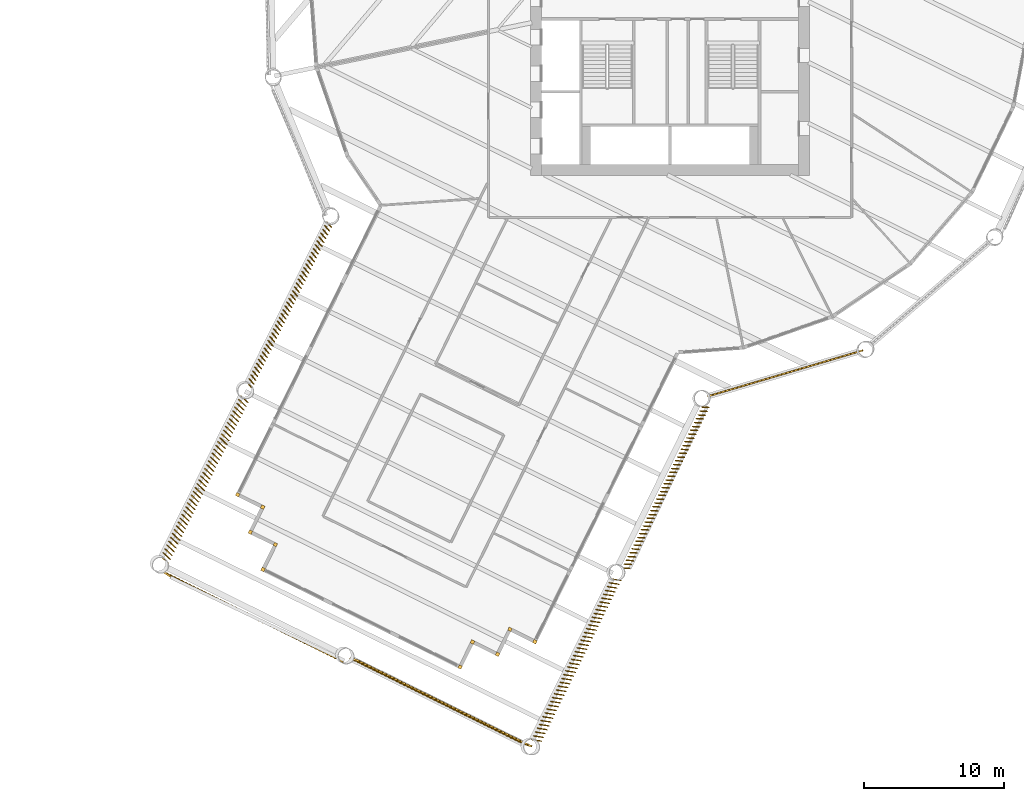
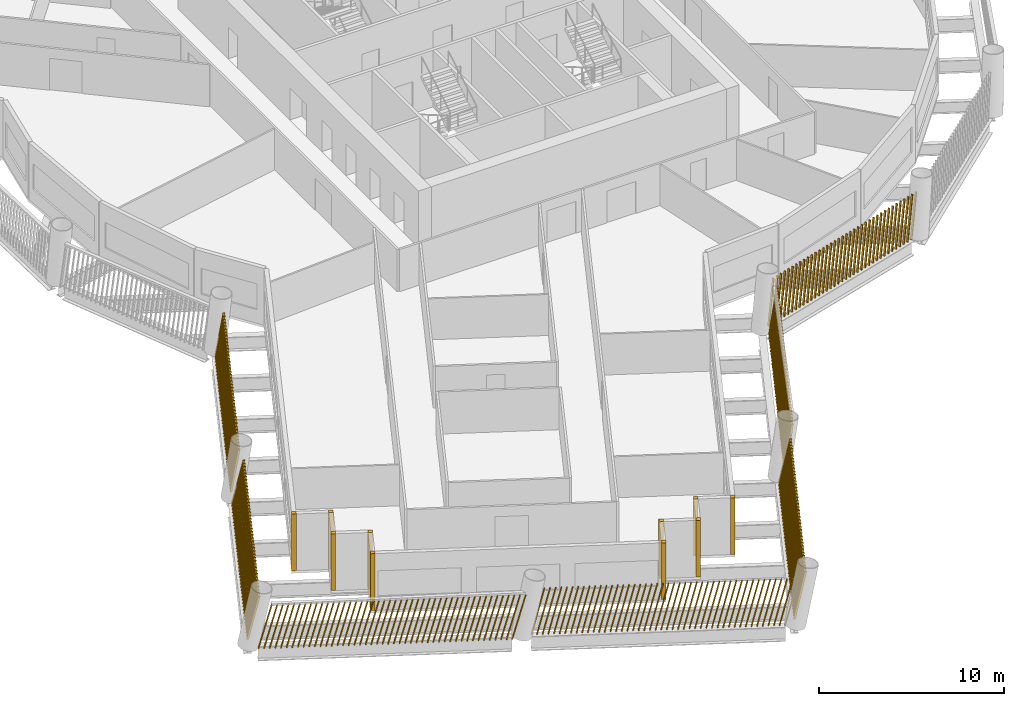
# One storey, part 11 of 16: 17 shading devices.
"""IFC4 building model written with IfcOpenShell, lengths in metres."""

from ifc_helpers import new_model, si_unit, direction, frame, frame_2d, origin, origin_2d, place, context, subcontext, project, spatial, rectangle, composite_profile, extrude, material, type_object, element, save


model = new_model("IFC4")

# Units and contexts
model_context = context("Model", 3, precision=1e-05, world=origin(), true_north=direction((0.0, 1.0)))
body_context = subcontext(model_context, "Body", "Model", "MODEL_VIEW")
ifc_project = project(units=[si_unit("LENGTHUNIT", "METRE"), si_unit("AREAUNIT", "SQUARE_METRE"), si_unit("VOLUMEUNIT", "CUBIC_METRE"), si_unit("PLANEANGLEUNIT", "RADIAN"), si_unit("MASSUNIT", "GRAM", prefix="KILO")], contexts=[model_context])

# Site, building, storey
site_placement = place(None, origin())
site = spatial("IfcSite", under=ifc_project, at=site_placement, CompositionType="ELEMENT")
building_placement = place(site_placement, origin())
building = spatial("IfcBuilding", under=site, at=building_placement, Name="Tarsis Ring Headquarters", CompositionType="ELEMENT")
storey_placement = place(building_placement, frame((0.0, 0.0, 104.5)))
storey = spatial("IfcBuildingStorey", under=building, at=storey_placement, Name="L23", CompositionType="ELEMENT", Elevation=104.5)

# Shading devices
ifc_material = material(Name="Terracotta baguette", Category="masonry")
shading_device_type_1 = type_object("IfcShadingDeviceType", Name="Terracotta baguette screen", PredefinedType="USERDEFINED", material=ifc_material)
shading_device_1_placement = place(storey_placement, frame((-24.564453125, -16.298828125, 0.0), z_axis=(0.0, 0.0, 1.0), x_axis=(-0.443063124432, -0.896495610051, 0.0)))
element("IfcShadingDevice", 1, at=shading_device_1_placement, inside=storey, type_object=shading_device_type_1, Name="Baguette screen L23-01", ObjectType="Terracotta baguette screen", PredefinedType="USERDEFINED", context=body_context, shape_type="SweptSolid", body=[
    extrude(composite_profile([rectangle(XDim=0.06005859375, YDim=0.1201171875, at=frame_2d((0.030029296875, 0.0))), rectangle(XDim=0.06005859375, YDim=0.1201171875, at=frame_2d((0.335693359375, 0.0))), rectangle(XDim=0.06005859375, YDim=0.1201171875, at=frame_2d((0.6416015625, 0.0))), rectangle(XDim=0.06005859375, YDim=0.1201171875, at=frame_2d((0.947265625, 0.0))), rectangle(XDim=0.06005859375, YDim=0.1201171875, at=frame_2d((1.253173828125, 0.0))), rectangle(XDim=0.06005859375, YDim=0.1201171875, at=frame_2d((1.558837890625, 0.0))), rectangle(XDim=0.06005859375, YDim=0.1201171875, at=frame_2d((1.864501953125, 0.0))), rectangle(XDim=0.06005859375, YDim=0.1201171875, at=frame_2d((2.17041015625, 0.0))), rectangle(XDim=0.06005859375, YDim=0.1201171875, at=frame_2d((2.47607421875, 0.0))), rectangle(XDim=0.06005859375, YDim=0.1201171875, at=frame_2d((2.781982421875, 0.0))), rectangle(XDim=0.06005859375, YDim=0.1201171875, at=frame_2d((3.087646484375, 0.0))), rectangle(XDim=0.06005859375, YDim=0.1201171875, at=frame_2d((3.393310546875, 0.0))), rectangle(XDim=0.06005859375, YDim=0.1201171875, at=frame_2d((3.69921875, 0.0))), rectangle(XDim=0.06005859375, YDim=0.1201171875, at=frame_2d((4.0048828125, 0.0))), rectangle(XDim=0.06005859375, YDim=0.1201171875, at=frame_2d((4.310791015625, 0.0))), rectangle(XDim=0.06005859375, YDim=0.1201171875, at=frame_2d((4.616455078125, 0.0))), rectangle(XDim=0.06005859375, YDim=0.1201171875, at=frame_2d((4.922119140625, 0.0))), rectangle(XDim=0.06005859375, YDim=0.1201171875, at=frame_2d((5.22802734375, 0.0))), rectangle(XDim=0.06005859375, YDim=0.1201171875, at=frame_2d((5.53369140625, 0.0))), rectangle(XDim=0.06005859375, YDim=0.1201171875, at=frame_2d((5.839599609375, 0.0))), rectangle(XDim=0.06005859375, YDim=0.1201171875, at=frame_2d((6.145263671875, 0.0))), rectangle(XDim=0.06005859375, YDim=0.1201171875, at=frame_2d((6.451171875, 0.0))), rectangle(XDim=0.06005859375, YDim=0.1201171875, at=frame_2d((6.7568359375, 0.0))), rectangle(XDim=0.06005859375, YDim=0.1201171875, at=frame_2d((7.0625, 0.0))), rectangle(XDim=0.06005859375, YDim=0.1201171875, at=frame_2d((7.368408203125, 0.0))), rectangle(XDim=0.06005859375, YDim=0.1201171875, at=frame_2d((7.674072265625, 0.0))), rectangle(XDim=0.06005859375, YDim=0.1201171875, at=frame_2d((7.97998046875, 0.0))), rectangle(XDim=0.06005859375, YDim=0.1201171875, at=frame_2d((8.28564453125, 0.0))), rectangle(XDim=0.06005859375, YDim=0.1201171875, at=frame_2d((8.59130859375, 0.0))), rectangle(XDim=0.06005859375, YDim=0.1201171875, at=frame_2d((8.897216796875, 0.0))), rectangle(XDim=0.06005859375, YDim=0.1201171875, at=frame_2d((9.202880859375, 0.0))), rectangle(XDim=0.06005859375, YDim=0.1201171875, at=frame_2d((9.5087890625, 0.0))), rectangle(XDim=0.06005859375, YDim=0.1201171875, at=frame_2d((9.814453125, 0.0))), rectangle(XDim=0.06005859375, YDim=0.1201171875, at=frame_2d((10.1201171875, 0.0))), rectangle(XDim=0.06005859375, YDim=0.1201171875, at=frame_2d((10.426025390625, 0.0))), rectangle(XDim=0.06005859375, YDim=0.1201171875, at=frame_2d((10.731689453125, 0.0))), rectangle(XDim=0.06005859375, YDim=0.1201171875, at=frame_2d((11.03759765625, 0.0))), rectangle(XDim=0.06005859375, YDim=0.1201171875, at=frame_2d((11.34326171875, 0.0))), rectangle(XDim=0.06005859375, YDim=0.1201171875, at=frame_2d((11.64892578125, 0.0))), rectangle(XDim=0.06005859375, YDim=0.1201171875, at=frame_2d((11.954833984375, 0.0))), rectangle(XDim=0.06005859375, YDim=0.1201171875, at=frame_2d((12.260498046875, 0.0))), rectangle(XDim=0.06005859375, YDim=0.1201171875, at=frame_2d((12.56640625, 0.0))), rectangle(XDim=0.06005859375, YDim=0.1201171875, at=frame_2d((12.8720703125, 0.0)))]), origin(), (0.066365976117, 0.145845567253, 0.987078835619), 2.9912109375),
])
shading_device_2_placement = place(storey_placement, frame((-30.72412109375, -28.76220703125, 0.0), z_axis=(0.0, 0.0, 1.0), x_axis=(-0.443071508316, -0.896493651484, 0.0)))
element("IfcShadingDevice", 2, at=shading_device_2_placement, inside=storey, type_object=shading_device_type_1, Name="Baguette screen L23-02", ObjectType="Terracotta baguette screen", PredefinedType="USERDEFINED", context=body_context, shape_type="SweptSolid", body=[
    extrude(composite_profile([rectangle(XDim=0.06005859375, YDim=0.1201171875, at=frame_2d((0.030029296875, 0.0))), rectangle(XDim=0.06005859375, YDim=0.1201171875, at=frame_2d((0.335693359375, 0.0))), rectangle(XDim=0.06005859375, YDim=0.1201171875, at=frame_2d((0.6416015625, 0.0))), rectangle(XDim=0.06005859375, YDim=0.1201171875, at=frame_2d((0.947265625, 0.0))), rectangle(XDim=0.06005859375, YDim=0.1201171875, at=frame_2d((1.253173828125, 0.0))), rectangle(XDim=0.06005859375, YDim=0.1201171875, at=frame_2d((1.558837890625, 0.0))), rectangle(XDim=0.06005859375, YDim=0.1201171875, at=frame_2d((1.864501953125, 0.0))), rectangle(XDim=0.06005859375, YDim=0.1201171875, at=frame_2d((2.17041015625, 0.0))), rectangle(XDim=0.06005859375, YDim=0.1201171875, at=frame_2d((2.47607421875, 0.0))), rectangle(XDim=0.06005859375, YDim=0.1201171875, at=frame_2d((2.781982421875, 0.0))), rectangle(XDim=0.06005859375, YDim=0.1201171875, at=frame_2d((3.087646484375, 0.0))), rectangle(XDim=0.06005859375, YDim=0.1201171875, at=frame_2d((3.393310546875, 0.0))), rectangle(XDim=0.06005859375, YDim=0.1201171875, at=frame_2d((3.69921875, 0.0))), rectangle(XDim=0.06005859375, YDim=0.1201171875, at=frame_2d((4.0048828125, 0.0))), rectangle(XDim=0.06005859375, YDim=0.1201171875, at=frame_2d((4.310791015625, 0.0))), rectangle(XDim=0.06005859375, YDim=0.1201171875, at=frame_2d((4.616455078125, 0.0))), rectangle(XDim=0.06005859375, YDim=0.1201171875, at=frame_2d((4.922119140625, 0.0))), rectangle(XDim=0.06005859375, YDim=0.1201171875, at=frame_2d((5.22802734375, 0.0))), rectangle(XDim=0.06005859375, YDim=0.1201171875, at=frame_2d((5.53369140625, 0.0))), rectangle(XDim=0.06005859375, YDim=0.1201171875, at=frame_2d((5.839599609375, 0.0))), rectangle(XDim=0.06005859375, YDim=0.1201171875, at=frame_2d((6.145263671875, 0.0))), rectangle(XDim=0.06005859375, YDim=0.1201171875, at=frame_2d((6.451171875, 0.0))), rectangle(XDim=0.06005859375, YDim=0.1201171875, at=frame_2d((6.7568359375, 0.0))), rectangle(XDim=0.06005859375, YDim=0.1201171875, at=frame_2d((7.0625, 0.0))), rectangle(XDim=0.06005859375, YDim=0.1201171875, at=frame_2d((7.368408203125, 0.0))), rectangle(XDim=0.06005859375, YDim=0.1201171875, at=frame_2d((7.674072265625, 0.0))), rectangle(XDim=0.06005859375, YDim=0.1201171875, at=frame_2d((7.97998046875, 0.0))), rectangle(XDim=0.06005859375, YDim=0.1201171875, at=frame_2d((8.28564453125, 0.0))), rectangle(XDim=0.06005859375, YDim=0.1201171875, at=frame_2d((8.59130859375, 0.0))), rectangle(XDim=0.06005859375, YDim=0.1201171875, at=frame_2d((8.897216796875, 0.0))), rectangle(XDim=0.06005859375, YDim=0.1201171875, at=frame_2d((9.202880859375, 0.0))), rectangle(XDim=0.06005859375, YDim=0.1201171875, at=frame_2d((9.5087890625, 0.0))), rectangle(XDim=0.06005859375, YDim=0.1201171875, at=frame_2d((9.814453125, 0.0))), rectangle(XDim=0.06005859375, YDim=0.1201171875, at=frame_2d((10.1201171875, 0.0))), rectangle(XDim=0.06005859375, YDim=0.1201171875, at=frame_2d((10.426025390625, 0.0))), rectangle(XDim=0.06005859375, YDim=0.1201171875, at=frame_2d((10.731689453125, 0.0))), rectangle(XDim=0.06005859375, YDim=0.1201171875, at=frame_2d((11.03759765625, 0.0))), rectangle(XDim=0.06005859375, YDim=0.1201171875, at=frame_2d((11.34326171875, 0.0))), rectangle(XDim=0.06005859375, YDim=0.1201171875, at=frame_2d((11.64892578125, 0.0))), rectangle(XDim=0.06005859375, YDim=0.1201171875, at=frame_2d((11.954833984375, 0.0))), rectangle(XDim=0.06005859375, YDim=0.1201171875, at=frame_2d((12.260498046875, 0.0))), rectangle(XDim=0.06005859375, YDim=0.1201171875, at=frame_2d((12.56640625, 0.0))), rectangle(XDim=0.06005859375, YDim=0.1201171875, at=frame_2d((12.8720703125, 0.0)))]), origin(), (0.065208260508, 0.206811232709, 0.976205407067), 3.024658203125),
])
shading_device_3_placement = place(storey_placement, frame((-36.380126953125, -41.334716796875, 0.0), z_axis=(0.0, 0.0, 1.0), x_axis=(0.896488279522, -0.443078283945, 0.0)))
element("IfcShadingDevice", 3, at=shading_device_3_placement, inside=storey, type_object=shading_device_type_1, Name="Baguette screen L23-03", ObjectType="Terracotta baguette screen", PredefinedType="USERDEFINED", context=body_context, shape_type="SweptSolid", body=[
    extrude(composite_profile([rectangle(XDim=0.06005859375, YDim=0.1201171875, at=frame_2d((0.030029296875, 0.0))), rectangle(XDim=0.06005859375, YDim=0.1201171875, at=frame_2d((0.33544921875, 0.0))), rectangle(XDim=0.06005859375, YDim=0.1201171875, at=frame_2d((0.640625, 0.0))), rectangle(XDim=0.06005859375, YDim=0.1201171875, at=frame_2d((0.946044921875, 0.0))), rectangle(XDim=0.06005859375, YDim=0.1201171875, at=frame_2d((1.25146484375, 0.0))), rectangle(XDim=0.06005859375, YDim=0.1201171875, at=frame_2d((1.556640625, 0.0))), rectangle(XDim=0.06005859375, YDim=0.1201171875, at=frame_2d((1.862060546875, 0.0))), rectangle(XDim=0.06005859375, YDim=0.1201171875, at=frame_2d((2.16748046875, 0.0))), rectangle(XDim=0.06005859375, YDim=0.1201171875, at=frame_2d((2.47265625, 0.0))), rectangle(XDim=0.06005859375, YDim=0.1201171875, at=frame_2d((2.778076171875, 0.0))), rectangle(XDim=0.06005859375, YDim=0.1201171875, at=frame_2d((3.08349609375, 0.0))), rectangle(XDim=0.06005859375, YDim=0.1201171875, at=frame_2d((3.388671875, 0.0))), rectangle(XDim=0.06005859375, YDim=0.1201171875, at=frame_2d((3.694091796875, 0.0))), rectangle(XDim=0.06005859375, YDim=0.1201171875, at=frame_2d((3.99951171875, 0.0))), rectangle(XDim=0.06005859375, YDim=0.1201171875, at=frame_2d((4.3046875, 0.0))), rectangle(XDim=0.06005859375, YDim=0.1201171875, at=frame_2d((4.610107421875, 0.0))), rectangle(XDim=0.06005859375, YDim=0.1201171875, at=frame_2d((4.91552734375, 0.0))), rectangle(XDim=0.06005859375, YDim=0.1201171875, at=frame_2d((5.220703125, 0.0))), rectangle(XDim=0.06005859375, YDim=0.1201171875, at=frame_2d((5.526123046875, 0.0))), rectangle(XDim=0.06005859375, YDim=0.1201171875, at=frame_2d((5.83154296875, 0.0))), rectangle(XDim=0.06005859375, YDim=0.1201171875, at=frame_2d((6.13671875, 0.0))), rectangle(XDim=0.06005859375, YDim=0.1201171875, at=frame_2d((6.442138671875, 0.0))), rectangle(XDim=0.06005859375, YDim=0.1201171875, at=frame_2d((6.74755859375, 0.0))), rectangle(XDim=0.06005859375, YDim=0.1201171875, at=frame_2d((7.052734375, 0.0))), rectangle(XDim=0.06005859375, YDim=0.1201171875, at=frame_2d((7.358154296875, 0.0))), rectangle(XDim=0.06005859375, YDim=0.1201171875, at=frame_2d((7.66357421875, 0.0))), rectangle(XDim=0.06005859375, YDim=0.1201171875, at=frame_2d((7.96875, 0.0))), rectangle(XDim=0.06005859375, YDim=0.1201171875, at=frame_2d((8.274169921875, 0.0))), rectangle(XDim=0.06005859375, YDim=0.1201171875, at=frame_2d((8.57958984375, 0.0))), rectangle(XDim=0.06005859375, YDim=0.1201171875, at=frame_2d((8.884765625, 0.0))), rectangle(XDim=0.06005859375, YDim=0.1201171875, at=frame_2d((9.190185546875, 0.0))), rectangle(XDim=0.06005859375, YDim=0.1201171875, at=frame_2d((9.49560546875, 0.0))), rectangle(XDim=0.06005859375, YDim=0.1201171875, at=frame_2d((9.80078125, 0.0))), rectangle(XDim=0.06005859375, YDim=0.1201171875, at=frame_2d((10.106201171875, 0.0))), rectangle(XDim=0.06005859375, YDim=0.1201171875, at=frame_2d((10.41162109375, 0.0))), rectangle(XDim=0.06005859375, YDim=0.1201171875, at=frame_2d((10.716796875, 0.0))), rectangle(XDim=0.06005859375, YDim=0.1201171875, at=frame_2d((11.022216796875, 0.0))), rectangle(XDim=0.06005859375, YDim=0.1201171875, at=frame_2d((11.32763671875, 0.0))), rectangle(XDim=0.06005859375, YDim=0.1201171875, at=frame_2d((11.6328125, 0.0))), rectangle(XDim=0.06005859375, YDim=0.1201171875, at=frame_2d((11.938232421875, 0.0))), rectangle(XDim=0.06005859375, YDim=0.1201171875, at=frame_2d((12.24365234375, 0.0))), rectangle(XDim=0.06005859375, YDim=0.1201171875, at=frame_2d((12.548828125, 0.0))), rectangle(XDim=0.06005859375, YDim=0.1201171875, at=frame_2d((12.854248046875, 0.0))), rectangle(XDim=0.06005859375, YDim=0.1201171875, at=frame_2d((13.15966796875, 0.0))), rectangle(XDim=0.06005859375, YDim=0.1201171875, at=frame_2d((13.46484375, 0.0))), rectangle(XDim=0.06005859375, YDim=0.1201171875, at=frame_2d((13.770263671875, 0.0)))]), origin(), (0.238207903105, -0.03149708213, 0.970703316527), 3.041748046875),
])
shading_device_4_placement = place(storey_placement, frame((-22.94580078125, -47.555908203125, 0.0), z_axis=(0.0, 0.0, 1.0), x_axis=(0.896486448234, -0.443086122709, 0.0)))
element("IfcShadingDevice", 4, at=shading_device_4_placement, inside=storey, type_object=shading_device_type_1, Name="Baguette screen L23-04", ObjectType="Terracotta baguette screen", PredefinedType="USERDEFINED", context=body_context, shape_type="SweptSolid", body=[
    extrude(composite_profile([rectangle(XDim=0.06005859375, YDim=0.1201171875, at=frame_2d((0.030029296875, 0.0))), rectangle(XDim=0.06005859375, YDim=0.1201171875, at=frame_2d((0.33544921875, 0.0))), rectangle(XDim=0.06005859375, YDim=0.1201171875, at=frame_2d((0.640625, 0.0))), rectangle(XDim=0.06005859375, YDim=0.1201171875, at=frame_2d((0.946044921875, 0.0))), rectangle(XDim=0.06005859375, YDim=0.1201171875, at=frame_2d((1.25146484375, 0.0))), rectangle(XDim=0.06005859375, YDim=0.1201171875, at=frame_2d((1.556640625, 0.0))), rectangle(XDim=0.06005859375, YDim=0.1201171875, at=frame_2d((1.862060546875, 0.0))), rectangle(XDim=0.06005859375, YDim=0.1201171875, at=frame_2d((2.16748046875, 0.0))), rectangle(XDim=0.06005859375, YDim=0.1201171875, at=frame_2d((2.47265625, 0.0))), rectangle(XDim=0.06005859375, YDim=0.1201171875, at=frame_2d((2.778076171875, 0.0))), rectangle(XDim=0.06005859375, YDim=0.1201171875, at=frame_2d((3.08349609375, 0.0))), rectangle(XDim=0.06005859375, YDim=0.1201171875, at=frame_2d((3.388671875, 0.0))), rectangle(XDim=0.06005859375, YDim=0.1201171875, at=frame_2d((3.694091796875, 0.0))), rectangle(XDim=0.06005859375, YDim=0.1201171875, at=frame_2d((3.99951171875, 0.0))), rectangle(XDim=0.06005859375, YDim=0.1201171875, at=frame_2d((4.3046875, 0.0))), rectangle(XDim=0.06005859375, YDim=0.1201171875, at=frame_2d((4.610107421875, 0.0))), rectangle(XDim=0.06005859375, YDim=0.1201171875, at=frame_2d((4.91552734375, 0.0))), rectangle(XDim=0.06005859375, YDim=0.1201171875, at=frame_2d((5.220703125, 0.0))), rectangle(XDim=0.06005859375, YDim=0.1201171875, at=frame_2d((5.526123046875, 0.0))), rectangle(XDim=0.06005859375, YDim=0.1201171875, at=frame_2d((5.83154296875, 0.0))), rectangle(XDim=0.06005859375, YDim=0.1201171875, at=frame_2d((6.13671875, 0.0))), rectangle(XDim=0.06005859375, YDim=0.1201171875, at=frame_2d((6.442138671875, 0.0))), rectangle(XDim=0.06005859375, YDim=0.1201171875, at=frame_2d((6.74755859375, 0.0))), rectangle(XDim=0.06005859375, YDim=0.1201171875, at=frame_2d((7.052734375, 0.0))), rectangle(XDim=0.06005859375, YDim=0.1201171875, at=frame_2d((7.358154296875, 0.0))), rectangle(XDim=0.06005859375, YDim=0.1201171875, at=frame_2d((7.66357421875, 0.0))), rectangle(XDim=0.06005859375, YDim=0.1201171875, at=frame_2d((7.96875, 0.0))), rectangle(XDim=0.06005859375, YDim=0.1201171875, at=frame_2d((8.274169921875, 0.0))), rectangle(XDim=0.06005859375, YDim=0.1201171875, at=frame_2d((8.57958984375, 0.0))), rectangle(XDim=0.06005859375, YDim=0.1201171875, at=frame_2d((8.884765625, 0.0))), rectangle(XDim=0.06005859375, YDim=0.1201171875, at=frame_2d((9.190185546875, 0.0))), rectangle(XDim=0.06005859375, YDim=0.1201171875, at=frame_2d((9.49560546875, 0.0))), rectangle(XDim=0.06005859375, YDim=0.1201171875, at=frame_2d((9.80078125, 0.0))), rectangle(XDim=0.06005859375, YDim=0.1201171875, at=frame_2d((10.106201171875, 0.0))), rectangle(XDim=0.06005859375, YDim=0.1201171875, at=frame_2d((10.41162109375, 0.0))), rectangle(XDim=0.06005859375, YDim=0.1201171875, at=frame_2d((10.716796875, 0.0))), rectangle(XDim=0.06005859375, YDim=0.1201171875, at=frame_2d((11.022216796875, 0.0))), rectangle(XDim=0.06005859375, YDim=0.1201171875, at=frame_2d((11.32763671875, 0.0))), rectangle(XDim=0.06005859375, YDim=0.1201171875, at=frame_2d((11.6328125, 0.0))), rectangle(XDim=0.06005859375, YDim=0.1201171875, at=frame_2d((11.938232421875, 0.0))), rectangle(XDim=0.06005859375, YDim=0.1201171875, at=frame_2d((12.24365234375, 0.0))), rectangle(XDim=0.06005859375, YDim=0.1201171875, at=frame_2d((12.548828125, 0.0))), rectangle(XDim=0.06005859375, YDim=0.1201171875, at=frame_2d((12.854248046875, 0.0))), rectangle(XDim=0.06005859375, YDim=0.1201171875, at=frame_2d((13.15966796875, 0.0))), rectangle(XDim=0.06005859375, YDim=0.1201171875, at=frame_2d((13.46484375, 0.0))), rectangle(XDim=0.06005859375, YDim=0.1201171875, at=frame_2d((13.770263671875, 0.0)))]), origin(), (0.236172402775, 0.03474404529, 0.971089824622), 3.04052734375),
])
shading_device_5_placement = place(storey_placement, frame((-9.904541015625, -53.443603515625, 0.0), z_axis=(0.0, 0.0, 1.0), x_axis=(0.443071508316, 0.896493651484, 0.0)))
element("IfcShadingDevice", 5, at=shading_device_5_placement, inside=storey, type_object=shading_device_type_1, Name="Baguette screen L23-05", ObjectType="Terracotta baguette screen", PredefinedType="USERDEFINED", context=body_context, shape_type="SweptSolid", body=[
    extrude(composite_profile([rectangle(XDim=0.06005859375, YDim=0.1201171875, at=frame_2d((0.030029296875, 0.0))), rectangle(XDim=0.06005859375, YDim=0.1201171875, at=frame_2d((0.335693359375, 0.0))), rectangle(XDim=0.06005859375, YDim=0.1201171875, at=frame_2d((0.6416015625, 0.0))), rectangle(XDim=0.06005859375, YDim=0.1201171875, at=frame_2d((0.947265625, 0.0))), rectangle(XDim=0.06005859375, YDim=0.1201171875, at=frame_2d((1.253173828125, 0.0))), rectangle(XDim=0.06005859375, YDim=0.1201171875, at=frame_2d((1.558837890625, 0.0))), rectangle(XDim=0.06005859375, YDim=0.1201171875, at=frame_2d((1.864501953125, 0.0))), rectangle(XDim=0.06005859375, YDim=0.1201171875, at=frame_2d((2.17041015625, 0.0))), rectangle(XDim=0.06005859375, YDim=0.1201171875, at=frame_2d((2.47607421875, 0.0))), rectangle(XDim=0.06005859375, YDim=0.1201171875, at=frame_2d((2.781982421875, 0.0))), rectangle(XDim=0.06005859375, YDim=0.1201171875, at=frame_2d((3.087646484375, 0.0))), rectangle(XDim=0.06005859375, YDim=0.1201171875, at=frame_2d((3.393310546875, 0.0))), rectangle(XDim=0.06005859375, YDim=0.1201171875, at=frame_2d((3.69921875, 0.0))), rectangle(XDim=0.06005859375, YDim=0.1201171875, at=frame_2d((4.0048828125, 0.0))), rectangle(XDim=0.06005859375, YDim=0.1201171875, at=frame_2d((4.310791015625, 0.0))), rectangle(XDim=0.06005859375, YDim=0.1201171875, at=frame_2d((4.616455078125, 0.0))), rectangle(XDim=0.06005859375, YDim=0.1201171875, at=frame_2d((4.922119140625, 0.0))), rectangle(XDim=0.06005859375, YDim=0.1201171875, at=frame_2d((5.22802734375, 0.0))), rectangle(XDim=0.06005859375, YDim=0.1201171875, at=frame_2d((5.53369140625, 0.0))), rectangle(XDim=0.06005859375, YDim=0.1201171875, at=frame_2d((5.839599609375, 0.0))), rectangle(XDim=0.06005859375, YDim=0.1201171875, at=frame_2d((6.145263671875, 0.0))), rectangle(XDim=0.06005859375, YDim=0.1201171875, at=frame_2d((6.451171875, 0.0))), rectangle(XDim=0.06005859375, YDim=0.1201171875, at=frame_2d((6.7568359375, 0.0))), rectangle(XDim=0.06005859375, YDim=0.1201171875, at=frame_2d((7.0625, 0.0))), rectangle(XDim=0.06005859375, YDim=0.1201171875, at=frame_2d((7.368408203125, 0.0))), rectangle(XDim=0.06005859375, YDim=0.1201171875, at=frame_2d((7.674072265625, 0.0))), rectangle(XDim=0.06005859375, YDim=0.1201171875, at=frame_2d((7.97998046875, 0.0))), rectangle(XDim=0.06005859375, YDim=0.1201171875, at=frame_2d((8.28564453125, 0.0))), rectangle(XDim=0.06005859375, YDim=0.1201171875, at=frame_2d((8.59130859375, 0.0))), rectangle(XDim=0.06005859375, YDim=0.1201171875, at=frame_2d((8.897216796875, 0.0))), rectangle(XDim=0.06005859375, YDim=0.1201171875, at=frame_2d((9.202880859375, 0.0))), rectangle(XDim=0.06005859375, YDim=0.1201171875, at=frame_2d((9.5087890625, 0.0))), rectangle(XDim=0.06005859375, YDim=0.1201171875, at=frame_2d((9.814453125, 0.0))), rectangle(XDim=0.06005859375, YDim=0.1201171875, at=frame_2d((10.1201171875, 0.0))), rectangle(XDim=0.06005859375, YDim=0.1201171875, at=frame_2d((10.426025390625, 0.0))), rectangle(XDim=0.06005859375, YDim=0.1201171875, at=frame_2d((10.731689453125, 0.0))), rectangle(XDim=0.06005859375, YDim=0.1201171875, at=frame_2d((11.03759765625, 0.0))), rectangle(XDim=0.06005859375, YDim=0.1201171875, at=frame_2d((11.34326171875, 0.0))), rectangle(XDim=0.06005859375, YDim=0.1201171875, at=frame_2d((11.64892578125, 0.0))), rectangle(XDim=0.06005859375, YDim=0.1201171875, at=frame_2d((11.954833984375, 0.0))), rectangle(XDim=0.06005859375, YDim=0.1201171875, at=frame_2d((12.260498046875, 0.0))), rectangle(XDim=0.06005859375, YDim=0.1201171875, at=frame_2d((12.56640625, 0.0))), rectangle(XDim=0.06005859375, YDim=0.1201171875, at=frame_2d((12.8720703125, 0.0)))]), origin(), (0.068016356412, -0.205904665416, 0.976205431259), 3.024658203125),
])
shading_device_6_placement = place(storey_placement, frame((-3.40869140625, -41.146728515625, 0.0), z_axis=(0.0, 0.0, 1.0), x_axis=(0.443071508316, 0.896493651484, 0.0)))
element("IfcShadingDevice", 6, at=shading_device_6_placement, inside=storey, type_object=shading_device_type_1, Name="Baguette screen L23-06", ObjectType="Terracotta baguette screen", PredefinedType="USERDEFINED", context=body_context, shape_type="SweptSolid", body=[
    extrude(composite_profile([rectangle(XDim=0.06005859375, YDim=0.1201171875, at=frame_2d((0.030029296875, 0.0))), rectangle(XDim=0.06005859375, YDim=0.1201171875, at=frame_2d((0.335693359375, 0.0))), rectangle(XDim=0.06005859375, YDim=0.1201171875, at=frame_2d((0.6416015625, 0.0))), rectangle(XDim=0.06005859375, YDim=0.1201171875, at=frame_2d((0.947265625, 0.0))), rectangle(XDim=0.06005859375, YDim=0.1201171875, at=frame_2d((1.253173828125, 0.0))), rectangle(XDim=0.06005859375, YDim=0.1201171875, at=frame_2d((1.558837890625, 0.0))), rectangle(XDim=0.06005859375, YDim=0.1201171875, at=frame_2d((1.864501953125, 0.0))), rectangle(XDim=0.06005859375, YDim=0.1201171875, at=frame_2d((2.17041015625, 0.0))), rectangle(XDim=0.06005859375, YDim=0.1201171875, at=frame_2d((2.47607421875, 0.0))), rectangle(XDim=0.06005859375, YDim=0.1201171875, at=frame_2d((2.781982421875, 0.0))), rectangle(XDim=0.06005859375, YDim=0.1201171875, at=frame_2d((3.087646484375, 0.0))), rectangle(XDim=0.06005859375, YDim=0.1201171875, at=frame_2d((3.393310546875, 0.0))), rectangle(XDim=0.06005859375, YDim=0.1201171875, at=frame_2d((3.69921875, 0.0))), rectangle(XDim=0.06005859375, YDim=0.1201171875, at=frame_2d((4.0048828125, 0.0))), rectangle(XDim=0.06005859375, YDim=0.1201171875, at=frame_2d((4.310791015625, 0.0))), rectangle(XDim=0.06005859375, YDim=0.1201171875, at=frame_2d((4.616455078125, 0.0))), rectangle(XDim=0.06005859375, YDim=0.1201171875, at=frame_2d((4.922119140625, 0.0))), rectangle(XDim=0.06005859375, YDim=0.1201171875, at=frame_2d((5.22802734375, 0.0))), rectangle(XDim=0.06005859375, YDim=0.1201171875, at=frame_2d((5.53369140625, 0.0))), rectangle(XDim=0.06005859375, YDim=0.1201171875, at=frame_2d((5.839599609375, 0.0))), rectangle(XDim=0.06005859375, YDim=0.1201171875, at=frame_2d((6.145263671875, 0.0))), rectangle(XDim=0.06005859375, YDim=0.1201171875, at=frame_2d((6.451171875, 0.0))), rectangle(XDim=0.06005859375, YDim=0.1201171875, at=frame_2d((6.7568359375, 0.0))), rectangle(XDim=0.06005859375, YDim=0.1201171875, at=frame_2d((7.0625, 0.0))), rectangle(XDim=0.06005859375, YDim=0.1201171875, at=frame_2d((7.368408203125, 0.0))), rectangle(XDim=0.06005859375, YDim=0.1201171875, at=frame_2d((7.674072265625, 0.0))), rectangle(XDim=0.06005859375, YDim=0.1201171875, at=frame_2d((7.97998046875, 0.0))), rectangle(XDim=0.06005859375, YDim=0.1201171875, at=frame_2d((8.28564453125, 0.0))), rectangle(XDim=0.06005859375, YDim=0.1201171875, at=frame_2d((8.59130859375, 0.0))), rectangle(XDim=0.06005859375, YDim=0.1201171875, at=frame_2d((8.897216796875, 0.0))), rectangle(XDim=0.06005859375, YDim=0.1201171875, at=frame_2d((9.202880859375, 0.0))), rectangle(XDim=0.06005859375, YDim=0.1201171875, at=frame_2d((9.5087890625, 0.0))), rectangle(XDim=0.06005859375, YDim=0.1201171875, at=frame_2d((9.814453125, 0.0))), rectangle(XDim=0.06005859375, YDim=0.1201171875, at=frame_2d((10.1201171875, 0.0))), rectangle(XDim=0.06005859375, YDim=0.1201171875, at=frame_2d((10.426025390625, 0.0))), rectangle(XDim=0.06005859375, YDim=0.1201171875, at=frame_2d((10.731689453125, 0.0))), rectangle(XDim=0.06005859375, YDim=0.1201171875, at=frame_2d((11.03759765625, 0.0))), rectangle(XDim=0.06005859375, YDim=0.1201171875, at=frame_2d((11.34326171875, 0.0))), rectangle(XDim=0.06005859375, YDim=0.1201171875, at=frame_2d((11.64892578125, 0.0))), rectangle(XDim=0.06005859375, YDim=0.1201171875, at=frame_2d((11.954833984375, 0.0))), rectangle(XDim=0.06005859375, YDim=0.1201171875, at=frame_2d((12.260498046875, 0.0))), rectangle(XDim=0.06005859375, YDim=0.1201171875, at=frame_2d((12.56640625, 0.0))), rectangle(XDim=0.06005859375, YDim=0.1201171875, at=frame_2d((12.8720703125, 0.0)))]), origin(), (0.070041734123, -0.144901182083, 0.98696393192), 2.99169921875),
])
shading_device_7_placement = place(storey_placement, frame((2.672607421875, -28.823486328125, 0.0), z_axis=(0.0, 0.0, 1.0), x_axis=(0.958807188124, 0.284030731834, 0.0)))
element("IfcShadingDevice", 7, at=shading_device_7_placement, inside=storey, type_object=shading_device_type_1, Name="Baguette screen L23-07", ObjectType="Terracotta baguette screen", PredefinedType="USERDEFINED", context=body_context, shape_type="SweptSolid", body=[
    extrude(composite_profile([rectangle(XDim=0.06005859375, YDim=0.1201171875, at=frame_2d((0.030029296875, 0.0))), rectangle(XDim=0.06005859375, YDim=0.1201171875, at=frame_2d((0.33251953125, 0.0))), rectangle(XDim=0.06005859375, YDim=0.1201171875, at=frame_2d((0.634765625, 0.0))), rectangle(XDim=0.06005859375, YDim=0.1201171875, at=frame_2d((0.937255859375, 0.0))), rectangle(XDim=0.06005859375, YDim=0.1201171875, at=frame_2d((1.239501953125, 0.0))), rectangle(XDim=0.06005859375, YDim=0.1201171875, at=frame_2d((1.5419921875, 0.0))), rectangle(XDim=0.06005859375, YDim=0.1201171875, at=frame_2d((1.844482421875, 0.0))), rectangle(XDim=0.06005859375, YDim=0.1201171875, at=frame_2d((2.146728515625, 0.0))), rectangle(XDim=0.06005859375, YDim=0.1201171875, at=frame_2d((2.44921875, 0.0))), rectangle(XDim=0.06005859375, YDim=0.1201171875, at=frame_2d((2.751708984375, 0.0))), rectangle(XDim=0.06005859375, YDim=0.1201171875, at=frame_2d((3.053955078125, 0.0))), rectangle(XDim=0.06005859375, YDim=0.1201171875, at=frame_2d((3.3564453125, 0.0))), rectangle(XDim=0.06005859375, YDim=0.1201171875, at=frame_2d((3.65869140625, 0.0))), rectangle(XDim=0.06005859375, YDim=0.1201171875, at=frame_2d((3.961181640625, 0.0))), rectangle(XDim=0.06005859375, YDim=0.1201171875, at=frame_2d((4.263671875, 0.0))), rectangle(XDim=0.06005859375, YDim=0.1201171875, at=frame_2d((4.56591796875, 0.0))), rectangle(XDim=0.06005859375, YDim=0.1201171875, at=frame_2d((4.868408203125, 0.0))), rectangle(XDim=0.06005859375, YDim=0.1201171875, at=frame_2d((5.1708984375, 0.0))), rectangle(XDim=0.06005859375, YDim=0.1201171875, at=frame_2d((5.47314453125, 0.0))), rectangle(XDim=0.06005859375, YDim=0.1201171875, at=frame_2d((5.775634765625, 0.0))), rectangle(XDim=0.06005859375, YDim=0.1201171875, at=frame_2d((6.077880859375, 0.0))), rectangle(XDim=0.06005859375, YDim=0.1201171875, at=frame_2d((6.38037109375, 0.0))), rectangle(XDim=0.06005859375, YDim=0.1201171875, at=frame_2d((6.682861328125, 0.0))), rectangle(XDim=0.06005859375, YDim=0.1201171875, at=frame_2d((6.985107421875, 0.0))), rectangle(XDim=0.06005859375, YDim=0.1201171875, at=frame_2d((7.28759765625, 0.0))), rectangle(XDim=0.06005859375, YDim=0.1201171875, at=frame_2d((7.590087890625, 0.0))), rectangle(XDim=0.06005859375, YDim=0.1201171875, at=frame_2d((7.892333984375, 0.0))), rectangle(XDim=0.06005859375, YDim=0.1201171875, at=frame_2d((8.19482421875, 0.0))), rectangle(XDim=0.06005859375, YDim=0.1201171875, at=frame_2d((8.4970703125, 0.0))), rectangle(XDim=0.06005859375, YDim=0.1201171875, at=frame_2d((8.799560546875, 0.0))), rectangle(XDim=0.06005859375, YDim=0.1201171875, at=frame_2d((9.10205078125, 0.0))), rectangle(XDim=0.06005859375, YDim=0.1201171875, at=frame_2d((9.404296875, 0.0))), rectangle(XDim=0.06005859375, YDim=0.1201171875, at=frame_2d((9.706787109375, 0.0))), rectangle(XDim=0.06005859375, YDim=0.1201171875, at=frame_2d((10.00927734375, 0.0))), rectangle(XDim=0.06005859375, YDim=0.1201171875, at=frame_2d((10.3115234375, 0.0))), rectangle(XDim=0.06005859375, YDim=0.1201171875, at=frame_2d((10.614013671875, 0.0))), rectangle(XDim=0.06005859375, YDim=0.1201171875, at=frame_2d((10.916259765625, 0.0))), rectangle(XDim=0.06005859375, YDim=0.1201171875, at=frame_2d((11.21875, 0.0)))]), origin(), (0.129808881306, 0.000884160505, 0.991538638982), 2.977783203125),
])
shading_device_type_2 = type_object("IfcShadingDeviceType", Name="Terracotta corner baguette 250x250", PredefinedType="USERDEFINED", material=ifc_material)
for number, where, z_axis, x_axis, name in (
    (8, (-30.9716796875, -35.86474609375, 0.0), (0.0, 0.0, 1.0), (-0.443071190824, -0.896486430383, 0.0), "Corner baguette L23-07"),
    (9, (-29.1787109375, -36.7509765625, 0.0), (0.0, 0.0, 1.0), (0.89648652318, -0.443071003064, 0.0), "Corner baguette L23-08"),
    (10, (-30.06494140625, -38.5439453125, 0.0), (0.0, 0.0, 1.0), (-0.443071206471, -0.89648642265, 0.0), "Corner baguette L23-09"),
    (11, (-28.27197265625, -39.43017578125, 0.0), (0.0, 0.0, 1.0), (0.896486221591, -0.443071613283, 0.0), "Corner baguette L23-10"),
    (12, (-29.157958984375, -41.22314453125, 0.0), (0.0, 0.0, 1.0), (-0.443071003064, -0.89648652318, 0.0), "Corner baguette L23-11"),
    (13, (-15.038330078125, -48.201416015625, 0.0), (0.0, 0.0, 1.0), (0.896486430383, -0.443071190824, 0.0), "Corner baguette L23-12"),
    (14, (-14.152099609375, -46.408447265625, 0.0), (0.0, 0.0, 1.0), (0.443071003064, 0.89648652318, 0.0), "Corner baguette L23-13"),
    (15, (-12.359130859375, -47.294677734375, 0.0), (0.0, 0.0, 1.0), (0.896486322121, -0.443071409877, 0.0), "Corner baguette L23-14"),
    (16, (-11.47314453125, -45.501708984375, 0.0), (0.0, 0.0, 1.0), (0.443071206471, 0.89648642265, 0.0), "Corner baguette L23-15"),
    (17, (-9.68017578125, -46.3876953125, 0.0), (0.0, 0.0, 1.0), (0.896486221591, -0.443071613283, 0.0), "Corner baguette L23-16"),
):
    element("IfcShadingDevice", number, at=place(storey_placement, frame(where, z_axis=z_axis, x_axis=x_axis)), inside=storey, type_object=shading_device_type_2, Name=name, ObjectType="Terracotta corner baguette", PredefinedType="USERDEFINED", context=body_context, shape_type="SweptSolid", body=[
        extrude(rectangle(XDim=0.25, YDim=0.25, at=origin_2d()), origin(), (0.0, 0.0, 1.0), 3.739990234375),
    ])

save(model, "model.ifc")
